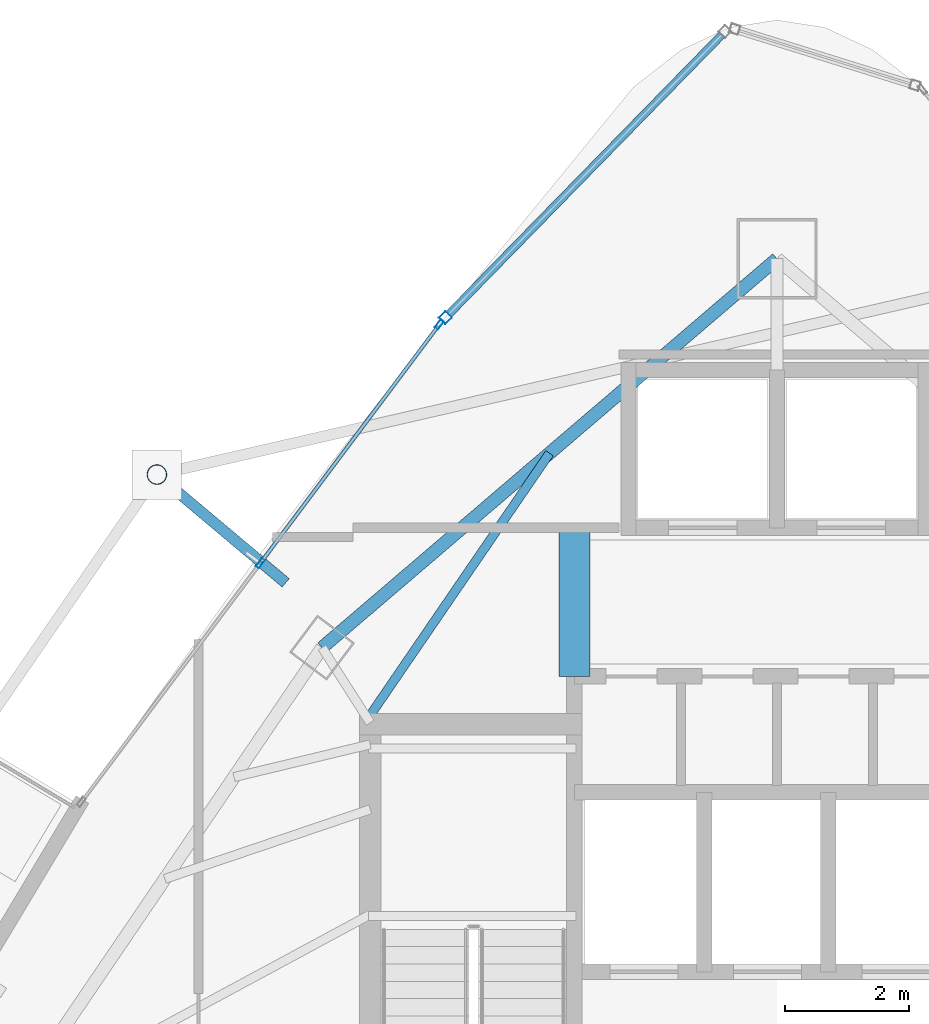
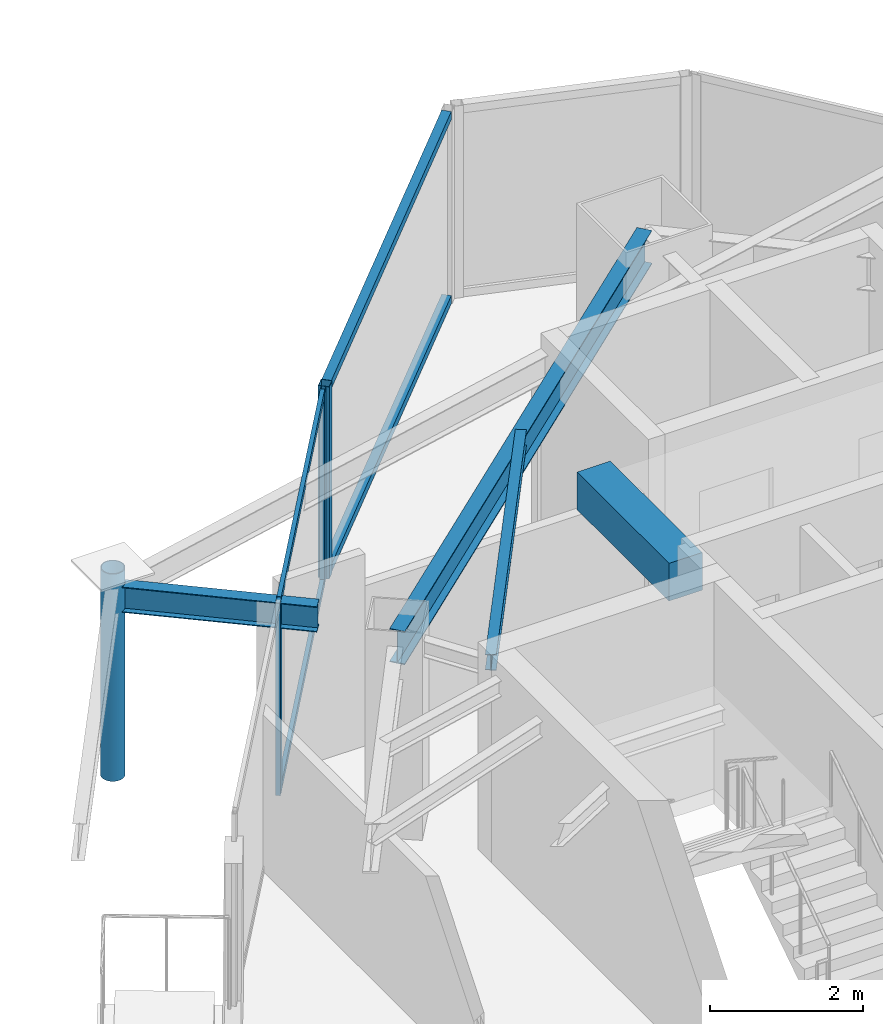
# One storey, part 20 of 29: 8 members, 4 beams, 2 elements without a shape of their own.
"""IFC4 building model written with IfcOpenShell, lengths in metres."""

from ifc_helpers import new_model, si_unit, direction, frame, origin, origin_2d, place, context, subcontext, project, spatial, rectangle, hollow_rectangle, hollow_circle, i_section, extrude, material, layer, layer_set, material_profile, profile_set, type_object, element, aggregate, save


model = new_model("IFC4")

# Units and contexts
model_context = context("Model", 3, precision=1e-05, world=origin(), true_north=direction((0.0, 1.0)))
body_context = subcontext(model_context, "Body", "Model", "MODEL_VIEW")
ifc_project = project(units=[si_unit("LENGTHUNIT", "METRE"), si_unit("AREAUNIT", "SQUARE_METRE"), si_unit("VOLUMEUNIT", "CUBIC_METRE"), si_unit("PLANEANGLEUNIT", "RADIAN"), si_unit("MASSUNIT", "GRAM", prefix="KILO")], contexts=[model_context])

# Site, building, storey
site_placement = place(None, origin())
site = spatial("IfcSite", under=ifc_project, at=site_placement, CompositionType="ELEMENT")
building_placement = place(site_placement, origin())
building = spatial("IfcBuilding", under=site, at=building_placement, Name="Orvanel Arch Residences", CompositionType="ELEMENT")
storey_placement = place(building_placement, frame((0.0, 0.0, 246.949951171875)))
storey = spatial("IfcBuildingStorey", under=building, at=storey_placement, Name="L70", CompositionType="ELEMENT", Elevation=246.949951171875)

# Beams
ifc_material_1 = material(Name="Structural steel AS/NZS 3679.1 Grade 300 (300 MPa)", Category="steel")
ifc_material_profile_1 = material_profile(ifc_material_1, i_section(OverallWidth=0.14599609375, OverallDepth=0.251953125, WebThickness=0.006103515625, FlangeThickness=0.008544921875, at=origin_2d()), Name="250UB31.4")
ifc_profile_set_1 = profile_set([ifc_material_profile_1], Name="Structural steel AS/NZS 3679.1 Grade 300 (300 MPa)")
beam_type_1 = type_object("IfcBeamType", Name="BJ-250UB", PredefinedType="JOIST", material=ifc_profile_set_1)
beam_1_placement = place(storey_placement, frame((26.425048828125, 34.02001953125, 2.93408203125), z_axis=(0.564868085352, 0.825181220188, 0.0), x_axis=(-0.825181220188, 0.564868085352, 0.0)))
element("IfcBeam", 1, at=beam_1_placement, inside=storey, type_object=beam_type_1, Name="L70 NNW2 Wing Floor Joist", PredefinedType="JOIST", context=body_context, shape_type="SweptSolid", body=[
    extrude(i_section(OverallWidth=0.14599609375, OverallDepth=0.251953125, WebThickness=0.006103515625, FlangeThickness=0.008544921875, at=origin_2d()), origin(), (0.0, 0.0, 1.0), 5.132080078125),
])
ifc_material_2 = material(Name="Concrete S65 (65 MPa)", Category="concrete")
ifc_material_profile_2 = material_profile(ifc_material_2, rectangle(XDim=0.5, YDim=0.60009765625, at=origin_2d()), Name="RC500x600")
ifc_profile_set_2 = profile_set([ifc_material_profile_2], Name="Concrete S65 (65 MPa)")
beam_type_2 = type_object("IfcBeamType", Name="CB-500x600", PredefinedType="LINTEL", material=ifc_profile_set_2)
beam_2_placement = place(storey_placement, frame((29.72509765625, 34.64990234375, 2.760009765625), z_axis=(0.0, 1.0, 0.0), x_axis=(-1.0, 0.0, 0.0)))
element("IfcBeam", 2, at=beam_2_placement, inside=storey, type_object=beam_type_2, Name="L70 West Core Lobby Coupling Lintel Beam", PredefinedType="LINTEL", context=body_context, shape_type="SweptSolid", body=[
    extrude(rectangle(XDim=0.5, YDim=0.60009765625, at=origin_2d()), origin(), (0.0, 0.0, 1.0), 2.400146484375),
])

# Curtain wall, member
ifc_material_3 = material(Name="Bronze-anodised aluminium AA6063-T6", Category="aluminium")
ifc_layer_1 = layer(ifc_material_3, 0.18994140625)
ifc_layer_set_1 = layer_set([ifc_layer_1], Name="Bronze-anodised aluminium AA6063-T6")
curtain_wall_type_1 = type_object("IfcCurtainWallType", Name="CW5-CRN-SYS", PredefinedType="NOTDEFINED", material=ifc_layer_set_1)
curtain_wall_1_placement = place(storey_placement, origin())
curtain_wall_1 = element("IfcCurtainWall", 3, at=curtain_wall_1_placement, inside=storey, type_object=curtain_wall_type_1, Name="L70 CW5-CRN-SYS Unitised Curtain Wall", PredefinedType="NOTDEFINED")
ifc_material_profile_3 = material_profile(ifc_material_3, hollow_rectangle(XDim=0.14990234375, YDim=0.14990234375, WallThickness=0.0048828125, at=origin_2d()), Name="ALU150x150x5")
ifc_profile_set_3 = profile_set([ifc_material_profile_3], Name="Bronze-anodised aluminium AA6063-T6")
member_type_1 = type_object("IfcMemberType", Name="MUL-150x150", PredefinedType="MULLION", material=ifc_profile_set_3)
member_1_placement = place(storey_placement, frame((27.641357421875, 40.445556640625, 0.0), z_axis=(0.0, 0.0, 1.0), x_axis=(0.71514941275, -0.69897161419, 0.0)))
member_1 = element("IfcMember", 4, at=member_1_placement, type_object=member_type_1, Name="CW-S5 mullion 2", PredefinedType="MULLION", context=body_context, shape_type="SweptSolid", body=[
    extrude(hollow_rectangle(XDim=0.14990234375, YDim=0.14990234375, WallThickness=0.0048828125, at=origin_2d()), origin(), (0.0, 0.0, 1.0), 3.06005859375),
])

# Curtain wall, members
ifc_layer_2 = layer(ifc_material_3, 0.175048828125)
ifc_layer_set_2 = layer_set([ifc_layer_2], Name="Bronze-anodised aluminium AA6063-T6")
curtain_wall_type_2 = type_object("IfcCurtainWallType", Name="CW4-HI-SYS", PredefinedType="NOTDEFINED", material=ifc_layer_set_2)
curtain_wall_2_placement = place(storey_placement, origin())
curtain_wall_2 = element("IfcCurtainWall", 5, at=curtain_wall_2_placement, inside=storey, type_object=curtain_wall_type_2, Name="L70 CW4-HI-SYS Unitised Curtain Wall", PredefinedType="NOTDEFINED")
ifc_material_profile_4 = material_profile(ifc_material_3, hollow_rectangle(XDim=0.06494140625, YDim=0.159912109375, WallThickness=0.00390625, at=origin_2d()), Name="ALU160x65x4")
ifc_profile_set_4 = profile_set([ifc_material_profile_4], Name="Bronze-anodised aluminium AA6063-T6")
member_type_2 = type_object("IfcMemberType", Name="MUL-160x65", PredefinedType="MULLION", material=ifc_profile_set_4)
member_2_placement = place(storey_placement, frame((27.54345703125, 40.3359375, 0.0), z_axis=(0.0, 0.0, 1.0), x_axis=(0.800074132032, -0.599901144567, 0.0)))
member_2 = element("IfcMember", 6, at=member_2_placement, type_object=member_type_2, Name="CW-S4 mullion 1", PredefinedType="MULLION", context=body_context, shape_type="SweptSolid", body=[
    extrude(hollow_rectangle(XDim=0.06494140625, YDim=0.159912109375, WallThickness=0.00390625, at=origin_2d()), origin(), (0.0, 0.0, 1.0), 3.06005859375),
])
member_3_placement = place(storey_placement, frame((24.64990234375, 36.47705078125, 0.0), z_axis=(0.0, 0.0, 1.0), x_axis=(0.800074132032, -0.599901144567, 0.0)))
member_3 = element("IfcMember", 7, at=member_3_placement, type_object=member_type_2, Name="CW-S4 mullion 2", PredefinedType="MULLION", context=body_context, shape_type="SweptSolid", body=[
    extrude(hollow_rectangle(XDim=0.06494140625, YDim=0.159912109375, WallThickness=0.00390625, at=origin_2d()), origin(), (0.0, 0.0, 1.0), 3.06005859375),
])

# Beams
ifc_material_profile_5 = material_profile(ifc_material_1, i_section(OverallWidth=0.177978515625, OverallDepth=0.406005859375, WebThickness=0.0078125, FlangeThickness=0.0126953125, at=origin_2d()), Name="410UB59.7")
ifc_profile_set_5 = profile_set([ifc_material_profile_5], Name="Structural steel AS/NZS 3679.1 Grade 300 (300 MPa)")
beam_type_3 = type_object("IfcBeamType", Name="OB-410UB-EXT", PredefinedType="SPANDREL", material=ifc_profile_set_5)
beam_3_placement = place(storey_placement, frame((25.06005859375, 36.160888671875, 2.85693359375), z_axis=(-0.765534992247, 0.643394261433, 0.0), x_axis=(-0.643394261433, -0.765534992247, 0.0)))
element("IfcBeam", 8, at=beam_3_placement, inside=storey, type_object=beam_type_3, Name="L70 Outer Frame Radial Tie Beam 01", PredefinedType="SPANDREL", context=body_context, shape_type="SweptSolid", body=[
    extrude(i_section(OverallWidth=0.177978515625, OverallDepth=0.406005859375, WebThickness=0.0078125, FlangeThickness=0.0126953125, at=origin_2d()), origin(), (0.0, 0.0, 1.0), 2.718505859375),
])
ifc_material_profile_6 = material_profile(ifc_material_1, i_section(OverallWidth=0.208984375, OverallDepth=0.532958984375, WebThickness=0.01025390625, FlangeThickness=0.015625, at=origin_2d()), Name="530UB92.4")
ifc_profile_set_6 = profile_set([ifc_material_profile_6], Name="Structural steel AS/NZS 3679.1 Grade 300 (300 MPa)")
beam_type_4 = type_object("IfcBeamType", Name="SP-530UB", PredefinedType="SPANDREL", material=ifc_profile_set_6)
beam_4_placement = place(storey_placement, frame((33.0, 41.39794921875, 2.79296875), z_axis=(-0.760116518398, -0.649786794617, 0.0), x_axis=(0.649786794617, -0.760116518398, 0.0)))
element("IfcBeam", 9, at=beam_4_placement, inside=storey, type_object=beam_type_4, Name="L70 Perimeter Spandrel Beam 10", PredefinedType="SPANDREL", context=body_context, shape_type="SweptSolid", body=[
    extrude(i_section(OverallWidth=0.208984375, OverallDepth=0.532958984375, WebThickness=0.01025390625, FlangeThickness=0.015625, at=origin_2d()), origin(), (0.0, 0.0, 1.0), 9.67236328125),
])

# Member
ifc_material_4 = material(Name="Structural steel AS/NZS 1163 C350L0 (Grade 350)", Category="steel")
ifc_material_profile_7 = material_profile(ifc_material_4, hollow_circle(Radius=0.162109375, WallThickness=0.0126953125, at=origin_2d()), Name="CHS324x12.7")
ifc_profile_set_7 = profile_set([ifc_material_profile_7], Name="Structural steel AS/NZS 1163 C350L0 (Grade 350)")
member_type_3 = type_object("IfcMemberType", Name="ST-324CHS-EXT", PredefinedType="STRUT", material=ifc_profile_set_7)
member_4_placement = place(storey_placement, frame((22.97900390625, 37.909912109375, 0.0), z_axis=(0.0, 0.0, 1.0), x_axis=(1.0, 0.0, 0.0)))
element("IfcMember", 10, at=member_4_placement, inside=storey, type_object=member_type_3, Name="L70 Outer Perimeter Frame Post 01", PredefinedType="STRUT", context=body_context, shape_type="SweptSolid", body=[
    extrude(hollow_circle(Radius=0.162109375, WallThickness=0.0126953125, at=origin_2d()), origin(), (0.0, 0.0, 1.0), 3.300048828125),
])

ifc_material_profile_8 = material_profile(ifc_material_3, hollow_rectangle(XDim=0.06005859375, YDim=0.1201171875, WallThickness=0.00341796875, at=origin_2d()), Name="ALU120x60x3.5")
ifc_profile_set_8 = profile_set([ifc_material_profile_8], Name="Bronze-anodised aluminium AA6063-T6")
member_type_4 = type_object("IfcMemberType", Name="TRN-120x60", PredefinedType="USERDEFINED", material=ifc_profile_set_8)
member_5_placement = place(storey_placement, frame((27.52392578125, 40.31005859375, 0.030029296875), z_axis=(-0.599885065435, -0.800086188025, 0.0), x_axis=(0.800086188025, -0.599885065435, 0.0)))
member_5 = element("IfcMember", 11, at=member_5_placement, type_object=member_type_4, Name="CW-S4 transom 1.1", ObjectType="TRANSOM", PredefinedType="USERDEFINED", context=body_context, shape_type="SweptSolid", body=[
    extrude(hollow_rectangle(XDim=0.06005859375, YDim=0.1201171875, WallThickness=0.00341796875, at=origin_2d()), origin(), (0.0, 0.0, 1.0), 4.75830078125),
])

member_6_placement = place(storey_placement, frame((27.52392578125, 40.31005859375, 3.030029296875), z_axis=(-0.599885065435, -0.800086188025, 0.0), x_axis=(0.800086188025, -0.599885065435, 0.0)))
member_6 = element("IfcMember", 12, at=member_6_placement, type_object=member_type_4, Name="CW-S4 transom 1.2", ObjectType="TRANSOM", PredefinedType="USERDEFINED", context=body_context, shape_type="SweptSolid", body=[
    extrude(hollow_rectangle(XDim=0.06005859375, YDim=0.1201171875, WallThickness=0.00341796875, at=origin_2d()), origin(), (0.0, 0.0, 1.0), 4.75830078125),
])

aggregate(curtain_wall_2, [member_2, member_3, member_5, member_6])

ifc_material_profile_9 = material_profile(ifc_material_3, hollow_rectangle(XDim=0.1298828125, YDim=0.1298828125, WallThickness=0.00439453125, at=origin_2d()), Name="ALU130x130x4.5")
ifc_profile_set_9 = profile_set([ifc_material_profile_9], Name="Bronze-anodised aluminium AA6063-T6")
member_type_5 = type_object("IfcMemberType", Name="TRN-130x130", PredefinedType="USERDEFINED", material=ifc_profile_set_9)
member_7_placement = place(storey_placement, frame((32.107177734375, 45.0146484375, 0.06494140625), z_axis=(-0.698979244305, -0.71514195516, 0.0), x_axis=(0.71514195516, -0.698979244305, 0.0)))
member_7 = element("IfcMember", 13, at=member_7_placement, type_object=member_type_5, Name="CW-S5 transom 1.1", ObjectType="TRANSOM", PredefinedType="USERDEFINED", context=body_context, shape_type="SweptSolid", body=[
    extrude(hollow_rectangle(XDim=0.1298828125, YDim=0.1298828125, WallThickness=0.00439453125, at=origin_2d()), origin(), (0.0, 0.0, 1.0), 6.31396484375),
])

member_8_placement = place(storey_placement, frame((32.107177734375, 45.0146484375, 2.9951171875), z_axis=(-0.698979244305, -0.71514195516, 0.0), x_axis=(0.71514195516, -0.698979244305, 0.0)))
member_8 = element("IfcMember", 14, at=member_8_placement, type_object=member_type_5, Name="CW-S5 transom 1.2", ObjectType="TRANSOM", PredefinedType="USERDEFINED", context=body_context, shape_type="SweptSolid", body=[
    extrude(hollow_rectangle(XDim=0.1298828125, YDim=0.1298828125, WallThickness=0.00439453125, at=origin_2d()), origin(), (0.0, 0.0, 1.0), 6.31396484375),
])

aggregate(curtain_wall_1, [member_1, member_7, member_8])

save(model, "model.ifc")
